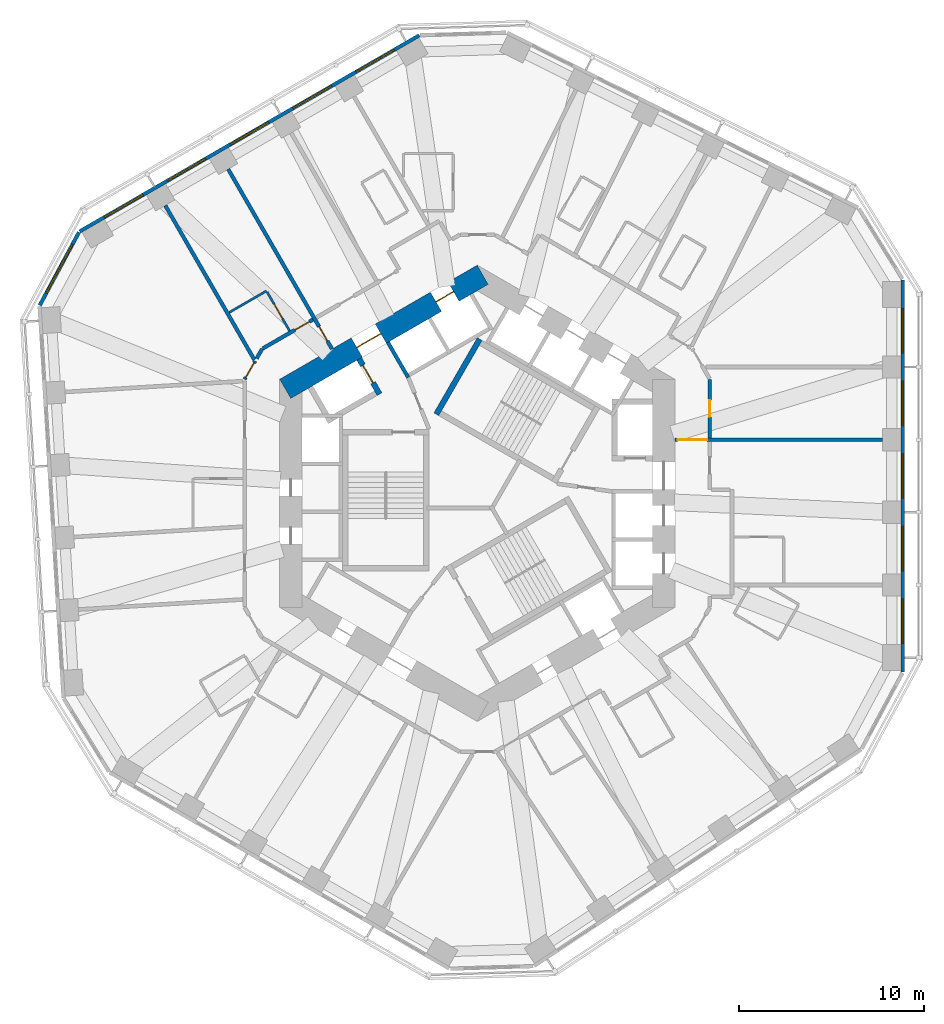
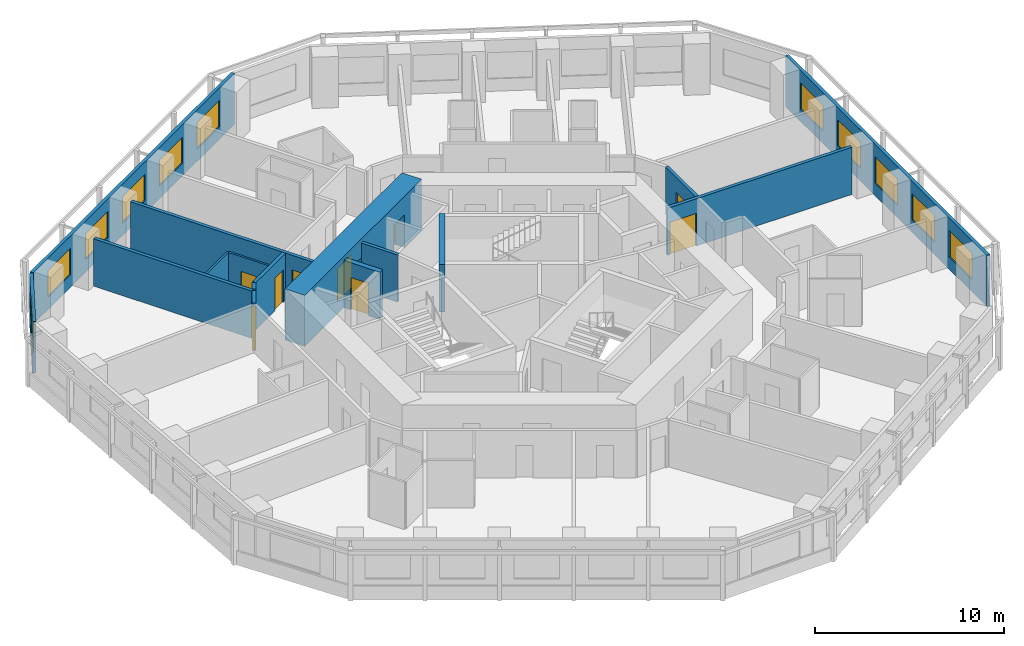
# One storey, part 7 of 12: 16 walls, 11 windows, 9 doors, 20 openings.
"""IFC4 building model written with IfcOpenShell, lengths in metres."""

from ifc_helpers import new_model, si_unit, direction, frame, frame_2d, origin, place, context, subcontext, project, spatial, rectangle, extrude, material, layer, layer_set, type_object, element, fill, save


model = new_model("IFC4")

# Units and contexts
model_context = context("Model", 3, precision=1e-05, world=origin(), true_north=direction((0.0, 1.0)))
body_context = subcontext(model_context, "Body", "Model", "MODEL_VIEW")
ifc_project = project(units=[si_unit("LENGTHUNIT", "METRE"), si_unit("AREAUNIT", "SQUARE_METRE"), si_unit("VOLUMEUNIT", "CUBIC_METRE"), si_unit("PLANEANGLEUNIT", "RADIAN"), si_unit("MASSUNIT", "GRAM", prefix="KILO")], contexts=[model_context])

# Site, building, storey
site_placement = place(None, origin())
site = spatial("IfcSite", under=ifc_project, at=site_placement, CompositionType="ELEMENT")
building_placement = place(site_placement, origin())
building = spatial("IfcBuilding", under=site, at=building_placement, Name="Vanh Sen Convention Tower", CompositionType="ELEMENT")
storey_placement = place(building_placement, frame((0.0, 0.0, 67.10009765625)))
storey = spatial("IfcBuildingStorey", under=building, at=storey_placement, Name="L14", CompositionType="ELEMENT", Elevation=67.10009765625)

# Wall
ifc_material_1 = material(Name="Moisture-resistant gypsum board on steel studs", Category="steel")
ifc_layer_1 = layer(ifc_material_1, 0.1201171875)
ifc_layer_set_1 = layer_set([ifc_layer_1], Name="Moisture-resistant gypsum board on steel studs")
wall_type_1 = type_object("IfcWallType", Name="Bathroom partition 120", PredefinedType="PARTITIONING", material=ifc_layer_set_1)
wall_1_placement = place(storey_placement, frame((-13.436279296875, 9.7939453125, 0.0), z_axis=(0.0, 0.0, 1.0), x_axis=(0.866053246676, 0.499951771596, 0.0)))
element("IfcWall", 1, at=wall_1_placement, inside=storey, type_object=wall_type_1, Name="Bathroom partition 120", PredefinedType="PARTITIONING", context=body_context, shape_type="SweptSolid", body=[
    extrude(rectangle(XDim=2.334716796875, YDim=0.1201171875, at=frame_2d((1.16748046875, 0.0))), origin(), (0.0, 0.0, 1.0), 3.0498046875),
])

# Wall, opening, door
wall_2_placement = place(storey_placement, frame((-11.384521484375, 10.9091796875, 0.0), z_axis=(0.0, 0.0, 1.0), x_axis=(0.500077547548, -0.865980627057, 0.0)))
wall_2 = element("IfcWall", 2, at=wall_2_placement, inside=storey, type_object=wall_type_1, Name="Bathroom partition 120", PredefinedType="PARTITIONING", context=body_context, shape_type="SweptSolid", body=[
    extrude(rectangle(XDim=2.43994140625, YDim=0.1201171875, at=frame_2d((1.219970703125, 0.0))), origin(), (0.0, 0.0, 1.0), 3.0498046875),
])
opening_1_placement = place(wall_2_placement, frame((0.77001953125, 0.0, 0.0)))
opening_1 = element("IfcOpeningElement", 3, at=opening_1_placement, cuts=wall_2, Name="Opening D13117", PredefinedType="OPENING", context=body_context, shape_type="SweptSolid", body=[
    extrude(rectangle(XDim=0.89990234375, YDim=2.10009765625, at=frame_2d((0.449951171875, 1.050048828125))), frame((0.0, 0.070068359375, 0.0), z_axis=(0.0, -1.0, 0.0), x_axis=(1.0, 0.0, 0.0)), (0.0, 0.0, 1.0), 0.14013671875),
])
ifc_material_2 = material(Name="Laminate door in steel frame", Category="steel")
door_type_1 = type_object("IfcDoorType", Name="En-suite door 900", OperationType="SINGLE_SWING_LEFT", PredefinedType="DOOR", material=ifc_material_2)
door_1_placement = place(opening_1_placement, origin())
door_1 = element("IfcDoor", 4, at=door_1_placement, inside=storey, type_object=door_type_1, Name="En-suite door D13117", OperationType="SINGLE_SWING_LEFT", OverallHeight=2.10009765625, OverallWidth=0.89990234375, PredefinedType="DOOR", context=body_context, shape_type="SweptSolid", body=[
    extrude(rectangle(XDim=0.89990234375, YDim=2.10009765625, at=frame_2d((0.449951171875, 1.050048828125))), frame((0.0, 0.02490234375, 0.0), z_axis=(0.0, -1.0, 0.0), x_axis=(1.0, 0.0, 0.0)), (0.0, 0.0, 1.0), 0.050048828125),
])
fill(opening_1, door_1)

# Wall, openings, doors
ifc_material_3 = material(Name="Concrete C80/95", Category="concrete")
ifc_layer_2 = layer(ifc_material_3, 1.199951171875)
ifc_layer_set_2 = layer_set([ifc_layer_2], Name="Concrete C80/95")
wall_type_2 = type_object("IfcWallType", Name="Core outer wall 1200 C80/95", PredefinedType="SHEAR", material=ifc_layer_set_2)
wall_3_placement = place(storey_placement, frame((0.300048828125, 11.835693359375, 0.0), z_axis=(0.0, 0.0, 1.0), x_axis=(-0.866021384402, -0.500006961711, 0.0)))
wall_3 = element("IfcWall", 5, at=wall_3_placement, inside=storey, type_object=wall_type_2, Name="Core wall face NW L14", PredefinedType="SHEAR", context=body_context, shape_type="SweptSolid", body=[
    extrude(rectangle(XDim=12.355224609375, YDim=1.199951171875, at=frame_2d((6.177734375, 0.0))), origin(), (0.0, 0.0, 1.0), 3.2998046875),
])
opening_2_placement = place(wall_3_placement, frame((6.377685546875, 0.0, 0.0)))
opening_2 = element("IfcOpeningElement", 6, at=opening_2_placement, cuts=wall_3, Name="Opening D13002", PredefinedType="OPENING", context=body_context, shape_type="SweptSolid", body=[
    extrude(rectangle(XDim=1.5, YDim=2.10009765625, at=frame_2d((0.75, 1.050048828125))), frame((0.0, 0.60986328125, 0.0), z_axis=(0.0, -1.0, 0.0), x_axis=(1.0, 0.0, 0.0)), (0.0, 0.0, 1.0), 1.219970703125),
])
opening_3_placement = place(wall_3_placement, frame((1.82763671875, 0.0, 0.0)))
opening_3 = element("IfcOpeningElement", 7, at=opening_3_placement, cuts=wall_3, Name="Opening LD-LR6", PredefinedType="OPENING", context=body_context, shape_type="SweptSolid", body=[
    extrude(rectangle(XDim=1.10009765625, YDim=2.10009765625, at=frame_2d((0.550048828125, 1.050048828125))), frame((0.0, 0.60986328125, 0.0), z_axis=(0.0, -1.0, 0.0), x_axis=(1.0, 0.0, 0.0)), (0.0, 0.0, 1.0), 1.219970703125),
])
ifc_material_4 = material(Name="Stainless steel", Category="steel")
door_type_2 = type_object("IfcDoorType", Name="Lift landing door 1100", OperationType="DOUBLE_DOOR_SLIDING", PredefinedType="DOOR", material=ifc_material_4)
door_2_placement = place(opening_3_placement, origin())
door_2 = element("IfcDoor", 8, at=door_2_placement, inside=storey, type_object=door_type_2, Name="Lift LR6 landing door LD-LR6", OperationType="DOUBLE_DOOR_SLIDING", OverallHeight=2.10009765625, OverallWidth=1.10009765625, PredefinedType="DOOR", context=body_context, shape_type="SweptSolid", body=[
    extrude(rectangle(XDim=1.10009765625, YDim=2.10009765625, at=frame_2d((0.550048828125, 1.050048828125))), frame((0.0, 0.02490234375, 0.0), z_axis=(0.0, -1.0, 0.0), x_axis=(1.0, 0.0, 0.0)), (0.0, 0.0, 1.0), 0.050048828125),
])
fill(opening_3, door_2)
ifc_material_5 = material(Name="Steel S355", Category="steel")
door_type_3 = type_object("IfcDoorType", Name="Stair lobby door 1500", OperationType="DOUBLE_DOOR_SINGLE_SWING", PredefinedType="DOOR", material=ifc_material_5)
door_3_placement = place(opening_2_placement, origin())
door_3 = element("IfcDoor", 9, at=door_3_placement, inside=storey, type_object=door_type_3, Name="Stair lobby door D13002", OperationType="DOUBLE_DOOR_SINGLE_SWING", OverallHeight=2.10009765625, OverallWidth=1.5, PredefinedType="DOOR", context=body_context, shape_type="SweptSolid", body=[
    extrude(rectangle(XDim=1.5, YDim=2.10009765625, at=frame_2d((0.75, 1.050048828125))), frame((0.0, 0.02490234375, 0.0), z_axis=(0.0, -1.0, 0.0), x_axis=(1.0, 0.0, 0.0)), (0.0, 0.0, 1.0), 0.050048828125),
])
fill(opening_2, door_3)

# Wall, opening, door
ifc_material_6 = material(Name="Gypsum board on steel studs with mineral wool", Category="steel")
ifc_layer_3 = layer(ifc_material_6, 0.199951171875)
ifc_layer_set_3 = layer_set([ifc_layer_3], Name="Gypsum board on steel studs with mineral wool")
wall_type_3 = type_object("IfcWallType", Name="Corridor partition wall 200", PredefinedType="PARTITIONING", material=ifc_layer_set_3)
wall_4_placement = place(storey_placement, frame((-12.031982421875, 7.16162109375, 0.0), z_axis=(0.0, 0.0, 1.0), x_axis=(-0.499951829968, -0.866053212979, 0.0)))
wall_4 = element("IfcWall", 10, at=wall_4_placement, inside=storey, type_object=wall_type_3, Name="Corridor partition wall 200", PredefinedType="PARTITIONING", context=body_context, shape_type="SweptSolid", body=[
    extrude(rectangle(XDim=1.13623046875, YDim=0.199951171875, at=frame_2d((0.568115234375, 0.0))), origin(), (0.0, 0.0, 1.0), 3.0498046875),
])
opening_4_placement = place(wall_4_placement, frame((0.1181640625, 0.0, 0.0)))
opening_4 = element("IfcOpeningElement", 11, at=opening_4_placement, cuts=wall_4, Name="Opening D13118", PredefinedType="OPENING", context=body_context, shape_type="SweptSolid", body=[
    extrude(rectangle(XDim=0.89990234375, YDim=2.10009765625, at=frame_2d((0.449951171875, 1.050048828125))), frame((0.0, 0.10986328125, 0.0), z_axis=(0.0, -1.0, 0.0), x_axis=(1.0, 0.0, 0.0)), (0.0, 0.0, 1.0), 0.219970703125),
])
ifc_material_7 = material(Name="Timber fire door in steel frame", Category="steel")
door_type_4 = type_object("IfcDoorType", Name="Floor room door 900", OperationType="SINGLE_SWING_LEFT", PredefinedType="DOOR", material=ifc_material_7)
door_4_placement = place(opening_4_placement, origin())
door_4 = element("IfcDoor", 12, at=door_4_placement, inside=storey, type_object=door_type_4, Name="Meeting and amenity room door D13118", OperationType="SINGLE_SWING_LEFT", OverallHeight=2.10009765625, OverallWidth=0.89990234375, PredefinedType="DOOR", context=body_context, shape_type="SweptSolid", body=[
    extrude(rectangle(XDim=0.89990234375, YDim=2.10009765625, at=frame_2d((0.449951171875, 1.050048828125))), frame((0.0, 0.02490234375, 0.0), z_axis=(0.0, -1.0, 0.0), x_axis=(1.0, 0.0, 0.0)), (0.0, 0.0, 1.0), 0.050048828125),
])
fill(opening_4, door_4)

# Wall
wall_5_placement = place(storey_placement, frame((-11.64990234375, 7.822998046875, 0.0), z_axis=(0.0, 0.0, 1.0), x_axis=(-0.50012165622, -0.865955154139, 0.0)))
element("IfcWall", 13, at=wall_5_placement, inside=storey, type_object=wall_type_3, Name="Corridor partition wall 200", PredefinedType="PARTITIONING", context=body_context, shape_type="SweptSolid", body=[
    extrude(rectangle(XDim=0.599853515625, YDim=0.199951171875, at=frame_2d((0.2998046875, 0.0))), origin(), (0.0, 0.0, 1.0), 3.0498046875),
])

# Wall, opening, door
wall_6_placement = place(storey_placement, frame((-8.902099609375, 9.40966796875, 0.0), z_axis=(0.0, 0.0, 1.0), x_axis=(-0.866014299198, -0.500019233215, 0.0)))
wall_6 = element("IfcWall", 14, at=wall_6_placement, inside=storey, type_object=wall_type_3, Name="Corridor partition wall 200", PredefinedType="PARTITIONING", context=body_context, shape_type="SweptSolid", body=[
    extrude(rectangle(XDim=3.13330078125, YDim=0.199951171875, at=frame_2d((1.566650390625, 0.0))), origin(), (0.0, 0.0, 1.0), 3.0498046875),
])
opening_5_placement = place(wall_6_placement, frame((0.22509765625, 0.0, 0.0)))
opening_5 = element("IfcOpeningElement", 15, at=opening_5_placement, cuts=wall_6, Name="Opening D13116", PredefinedType="OPENING", context=body_context, shape_type="SweptSolid", body=[
    extrude(rectangle(XDim=0.89990234375, YDim=2.10009765625, at=frame_2d((0.449951171875, 1.050048828125))), frame((0.0, 0.10986328125, 0.0), z_axis=(0.0, -1.0, 0.0), x_axis=(1.0, 0.0, 0.0)), (0.0, 0.0, 1.0), 0.219970703125),
])
door_type_5 = type_object("IfcDoorType", Name="Guest room door 900", OperationType="SINGLE_SWING_LEFT", PredefinedType="DOOR", material=ifc_material_7)
door_5_placement = place(opening_5_placement, origin())
door_5 = element("IfcDoor", 16, at=door_5_placement, inside=storey, type_object=door_type_5, Name="Hotel guest room door D13116", OperationType="SINGLE_SWING_LEFT", OverallHeight=2.10009765625, OverallWidth=0.89990234375, PredefinedType="DOOR", context=body_context, shape_type="SweptSolid", body=[
    extrude(rectangle(XDim=0.89990234375, YDim=2.10009765625, at=frame_2d((0.449951171875, 1.050048828125))), frame((0.0, 0.02490234375, 0.0), z_axis=(0.0, -1.0, 0.0), x_axis=(1.0, 0.0, 0.0)), (0.0, 0.0, 1.0), 0.050048828125),
])
fill(opening_5, door_5)

wall_7_placement = place(storey_placement, frame((12.60009765625, 3.00439453125, 0.0), z_axis=(0.0, 0.0, 1.0), x_axis=(0.0, 1.0, 0.0)))
wall_7 = element("IfcWall", 17, at=wall_7_placement, inside=storey, type_object=wall_type_3, Name="Corridor partition wall 200", PredefinedType="PARTITIONING", context=body_context, shape_type="SweptSolid", body=[
    extrude(rectangle(XDim=3.173095703125, YDim=0.199951171875, at=frame_2d((1.58642578125, 0.0))), origin(), (0.0, 0.0, 1.0), 3.0498046875),
])
opening_6_placement = place(wall_7_placement, frame((1.136474609375, 0.0, 0.0)))
opening_6 = element("IfcOpeningElement", 18, at=opening_6_placement, cuts=wall_7, Name="Opening D13103", PredefinedType="OPENING", context=body_context, shape_type="SweptSolid", body=[
    extrude(rectangle(XDim=0.89990234375, YDim=2.10009765625, at=frame_2d((0.449951171875, 1.050048828125))), frame((0.0, 0.10986328125, 0.0), z_axis=(0.0, -1.0, 0.0), x_axis=(1.0, 0.0, 0.0)), (0.0, 0.0, 1.0), 0.219970703125),
])
door_type_6 = type_object("IfcDoorType", Name="Floor service door 900", OperationType="SINGLE_SWING_LEFT", PredefinedType="DOOR", material=ifc_material_7)
door_6_placement = place(opening_6_placement, origin())
door_6 = element("IfcDoor", 19, at=door_6_placement, inside=storey, type_object=door_type_6, Name="Service room door D13103", OperationType="SINGLE_SWING_LEFT", OverallHeight=2.10009765625, OverallWidth=0.89990234375, PredefinedType="DOOR", context=body_context, shape_type="SweptSolid", body=[
    extrude(rectangle(XDim=0.89990234375, YDim=2.10009765625, at=frame_2d((0.449951171875, 1.050048828125))), frame((0.0, 0.02490234375, 0.0), z_axis=(0.0, -1.0, 0.0), x_axis=(1.0, 0.0, 0.0)), (0.0, 0.0, 1.0), 0.050048828125),
])
fill(opening_6, door_6)

# Wall, openings, windows
ifc_material_8 = material(Name="Insulated lightweight infill wall")
ifc_layer_4 = layer(ifc_material_8, 0.199951171875)
ifc_layer_set_4 = layer_set([ifc_layer_4], Name="Insulated lightweight infill wall")
wall_type_4 = type_object("IfcWallType", Name="External wall 200", PredefinedType="STANDARD", material=ifc_layer_set_4)
wall_8_placement = place(storey_placement, frame((23.050048828125, -9.6865234375, 0.0), z_axis=(0.0, 0.0, 1.0), x_axis=(0.0, 1.0, 0.0)))
wall_8 = element("IfcWall", 20, at=wall_8_placement, inside=storey, type_object=wall_type_4, Name="External wall E L14", PredefinedType="STANDARD", context=body_context, shape_type="SweptSolid", body=[
    extrude(rectangle(XDim=21.24609375, YDim=0.199951171875, at=frame_2d((10.623046875, 0.0))), origin(), (0.0, 0.0, 1.0), 3.2998046875),
])
opening_7_placement = place(wall_8_placement, frame((1.5546875, 0.0, 0.800048828125)))
opening_7 = element("IfcOpeningElement", 21, at=opening_7_placement, cuts=wall_8, Name="Opening WH1-E1", PredefinedType="OPENING", context=body_context, shape_type="SweptSolid", body=[
    extrude(rectangle(XDim=2.39990234375, YDim=1.699951171875, at=frame_2d((1.199951171875, 0.85009765625))), frame((0.0, 0.10986328125, 0.0), z_axis=(0.0, -1.0, 0.0), x_axis=(1.0, 0.0, 0.0)), (0.0, 0.0, 1.0), 0.219970703125),
])
opening_8_placement = place(wall_8_placement, frame((5.4892578125, 0.0, 0.800048828125)))
opening_8 = element("IfcOpeningElement", 22, at=opening_8_placement, cuts=wall_8, Name="Opening WH1-E2", PredefinedType="OPENING", context=body_context, shape_type="SweptSolid", body=[
    extrude(rectangle(XDim=2.39990234375, YDim=1.699951171875, at=frame_2d((1.199951171875, 0.85009765625))), frame((0.0, 0.10986328125, 0.0), z_axis=(0.0, -1.0, 0.0), x_axis=(1.0, 0.0, 0.0)), (0.0, 0.0, 1.0), 0.219970703125),
])
opening_9_placement = place(wall_8_placement, frame((9.423828125, 0.0, 0.800048828125)))
opening_9 = element("IfcOpeningElement", 23, at=opening_9_placement, cuts=wall_8, Name="Opening WH1-E3", PredefinedType="OPENING", context=body_context, shape_type="SweptSolid", body=[
    extrude(rectangle(XDim=2.39990234375, YDim=1.699951171875, at=frame_2d((1.199951171875, 0.85009765625))), frame((0.0, 0.10986328125, 0.0), z_axis=(0.0, -1.0, 0.0), x_axis=(1.0, 0.0, 0.0)), (0.0, 0.0, 1.0), 0.219970703125),
])
opening_10_placement = place(wall_8_placement, frame((13.3583984375, 0.0, 0.800048828125)))
opening_10 = element("IfcOpeningElement", 24, at=opening_10_placement, cuts=wall_8, Name="Opening WH1-E4", PredefinedType="OPENING", context=body_context, shape_type="SweptSolid", body=[
    extrude(rectangle(XDim=2.39990234375, YDim=1.699951171875, at=frame_2d((1.199951171875, 0.85009765625))), frame((0.0, 0.10986328125, 0.0), z_axis=(0.0, -1.0, 0.0), x_axis=(1.0, 0.0, 0.0)), (0.0, 0.0, 1.0), 0.219970703125),
])
opening_11_placement = place(wall_8_placement, frame((17.29296875, 0.0, 0.800048828125)))
opening_11 = element("IfcOpeningElement", 25, at=opening_11_placement, cuts=wall_8, Name="Opening WH1-E5", PredefinedType="OPENING", context=body_context, shape_type="SweptSolid", body=[
    extrude(rectangle(XDim=2.39990234375, YDim=1.699951171875, at=frame_2d((1.199951171875, 0.85009765625))), frame((0.0, 0.10986328125, 0.0), z_axis=(0.0, -1.0, 0.0), x_axis=(1.0, 0.0, 0.0)), (0.0, 0.0, 1.0), 0.219970703125),
])
ifc_material_9 = material(Name="Aluminium frame with clear low-emissivity glass", Category="aluminium")
window_type_1 = type_object("IfcWindowType", Name="Hotel window 2400 x 1700", PartitioningType="SINGLE_PANEL", PredefinedType="WINDOW", material=ifc_material_9)
window_1_placement = place(opening_7_placement, origin())
window_1 = element("IfcWindow", 26, at=window_1_placement, inside=storey, type_object=window_type_1, Name="Window WH1-E1", OverallHeight=1.699951171875, OverallWidth=2.39990234375, PartitioningType="SINGLE_PANEL", PredefinedType="WINDOW", context=body_context, shape_type="SweptSolid", body=[
    extrude(rectangle(XDim=2.39990234375, YDim=1.699951171875, at=frame_2d((1.199951171875, 0.85009765625))), frame((0.0, 0.030029296875, 0.0), z_axis=(0.0, -1.0, 0.0), x_axis=(1.0, 0.0, 0.0)), (0.0, 0.0, 1.0), 0.06005859375),
])
fill(opening_7, window_1)
window_2_placement = place(opening_8_placement, origin())
window_2 = element("IfcWindow", 27, at=window_2_placement, inside=storey, type_object=window_type_1, Name="Window WH1-E2", OverallHeight=1.699951171875, OverallWidth=2.39990234375, PartitioningType="SINGLE_PANEL", PredefinedType="WINDOW", context=body_context, shape_type="SweptSolid", body=[
    extrude(rectangle(XDim=2.39990234375, YDim=1.699951171875, at=frame_2d((1.199951171875, 0.85009765625))), frame((0.0, 0.030029296875, 0.0), z_axis=(0.0, -1.0, 0.0), x_axis=(1.0, 0.0, 0.0)), (0.0, 0.0, 1.0), 0.06005859375),
])
fill(opening_8, window_2)
window_3_placement = place(opening_9_placement, origin())
window_3 = element("IfcWindow", 28, at=window_3_placement, inside=storey, type_object=window_type_1, Name="Window WH1-E3", OverallHeight=1.699951171875, OverallWidth=2.39990234375, PartitioningType="SINGLE_PANEL", PredefinedType="WINDOW", context=body_context, shape_type="SweptSolid", body=[
    extrude(rectangle(XDim=2.39990234375, YDim=1.699951171875, at=frame_2d((1.199951171875, 0.85009765625))), frame((0.0, 0.030029296875, 0.0), z_axis=(0.0, -1.0, 0.0), x_axis=(1.0, 0.0, 0.0)), (0.0, 0.0, 1.0), 0.06005859375),
])
fill(opening_9, window_3)
window_4_placement = place(opening_10_placement, origin())
window_4 = element("IfcWindow", 29, at=window_4_placement, inside=storey, type_object=window_type_1, Name="Window WH1-E4", OverallHeight=1.699951171875, OverallWidth=2.39990234375, PartitioningType="SINGLE_PANEL", PredefinedType="WINDOW", context=body_context, shape_type="SweptSolid", body=[
    extrude(rectangle(XDim=2.39990234375, YDim=1.699951171875, at=frame_2d((1.199951171875, 0.85009765625))), frame((0.0, 0.030029296875, 0.0), z_axis=(0.0, -1.0, 0.0), x_axis=(1.0, 0.0, 0.0)), (0.0, 0.0, 1.0), 0.06005859375),
])
fill(opening_10, window_4)
window_5_placement = place(opening_11_placement, origin())
window_5 = element("IfcWindow", 30, at=window_5_placement, inside=storey, type_object=window_type_1, Name="Window WH1-E5", OverallHeight=1.699951171875, OverallWidth=2.39990234375, PartitioningType="SINGLE_PANEL", PredefinedType="WINDOW", context=body_context, shape_type="SweptSolid", body=[
    extrude(rectangle(XDim=2.39990234375, YDim=1.699951171875, at=frame_2d((1.199951171875, 0.85009765625))), frame((0.0, 0.030029296875, 0.0), z_axis=(0.0, -1.0, 0.0), x_axis=(1.0, 0.0, 0.0)), (0.0, 0.0, 1.0), 0.06005859375),
])
fill(opening_11, window_5)

wall_9_placement = place(storey_placement, frame((-3.135986328125, 24.80517578125, 0.0), z_axis=(0.0, 0.0, 1.0), x_axis=(-0.866028291626, -0.499994998079, 0.0)))
wall_9 = element("IfcWall", 31, at=wall_9_placement, inside=storey, type_object=wall_type_4, Name="External wall NW L14", PredefinedType="STANDARD", context=body_context, shape_type="SweptSolid", body=[
    extrude(rectangle(XDim=21.246337890625, YDim=0.199951171875, at=frame_2d((10.623046875, 0.0))), origin(), (0.0, 0.0, 1.0), 3.2998046875),
])
opening_12_placement = place(wall_9_placement, frame((1.5546875, 0.0, 0.800048828125)))
opening_12 = element("IfcOpeningElement", 32, at=opening_12_placement, cuts=wall_9, Name="Opening WH1-NW1", PredefinedType="OPENING", context=body_context, shape_type="SweptSolid", body=[
    extrude(rectangle(XDim=2.39990234375, YDim=1.699951171875, at=frame_2d((1.199951171875, 0.85009765625))), frame((0.0, 0.10986328125, 0.0), z_axis=(0.0, -1.0, 0.0), x_axis=(1.0, 0.0, 0.0)), (0.0, 0.0, 1.0), 0.219970703125),
])
opening_13_placement = place(wall_9_placement, frame((5.4892578125, 0.0, 0.800048828125)))
opening_13 = element("IfcOpeningElement", 33, at=opening_13_placement, cuts=wall_9, Name="Opening WH1-NW2", PredefinedType="OPENING", context=body_context, shape_type="SweptSolid", body=[
    extrude(rectangle(XDim=2.39990234375, YDim=1.699951171875, at=frame_2d((1.199951171875, 0.85009765625))), frame((0.0, 0.10986328125, 0.0), z_axis=(0.0, -1.0, 0.0), x_axis=(1.0, 0.0, 0.0)), (0.0, 0.0, 1.0), 0.219970703125),
])
opening_14_placement = place(wall_9_placement, frame((9.423828125, 0.0, 0.800048828125)))
opening_14 = element("IfcOpeningElement", 34, at=opening_14_placement, cuts=wall_9, Name="Opening WH1-NW3", PredefinedType="OPENING", context=body_context, shape_type="SweptSolid", body=[
    extrude(rectangle(XDim=2.39990234375, YDim=1.699951171875, at=frame_2d((1.199951171875, 0.85009765625))), frame((0.0, 0.10986328125, 0.0), z_axis=(0.0, -1.0, 0.0), x_axis=(1.0, 0.0, 0.0)), (0.0, 0.0, 1.0), 0.219970703125),
])
opening_15_placement = place(wall_9_placement, frame((13.3583984375, 0.0, 0.800048828125)))
opening_15 = element("IfcOpeningElement", 35, at=opening_15_placement, cuts=wall_9, Name="Opening WH1-NW4", PredefinedType="OPENING", context=body_context, shape_type="SweptSolid", body=[
    extrude(rectangle(XDim=2.39990234375, YDim=1.699951171875, at=frame_2d((1.199951171875, 0.85009765625))), frame((0.0, 0.10986328125, 0.0), z_axis=(0.0, -1.0, 0.0), x_axis=(1.0, 0.0, 0.0)), (0.0, 0.0, 1.0), 0.219970703125),
])
opening_16_placement = place(wall_9_placement, frame((17.293212890625, 0.0, 0.800048828125)))
opening_16 = element("IfcOpeningElement", 36, at=opening_16_placement, cuts=wall_9, Name="Opening WH1-NW5", PredefinedType="OPENING", context=body_context, shape_type="SweptSolid", body=[
    extrude(rectangle(XDim=2.39990234375, YDim=1.699951171875, at=frame_2d((1.199951171875, 0.85009765625))), frame((0.0, 0.10986328125, 0.0), z_axis=(0.0, -1.0, 0.0), x_axis=(1.0, 0.0, 0.0)), (0.0, 0.0, 1.0), 0.219970703125),
])
window_6_placement = place(opening_12_placement, origin())
window_6 = element("IfcWindow", 37, at=window_6_placement, inside=storey, type_object=window_type_1, Name="Window WH1-NW1", OverallHeight=1.699951171875, OverallWidth=2.39990234375, PartitioningType="SINGLE_PANEL", PredefinedType="WINDOW", context=body_context, shape_type="SweptSolid", body=[
    extrude(rectangle(XDim=2.39990234375, YDim=1.699951171875, at=frame_2d((1.199951171875, 0.85009765625))), frame((0.0, 0.030029296875, 0.0), z_axis=(0.0, -1.0, 0.0), x_axis=(1.0, 0.0, 0.0)), (0.0, 0.0, 1.0), 0.06005859375),
])
fill(opening_12, window_6)
window_7_placement = place(opening_13_placement, origin())
window_7 = element("IfcWindow", 38, at=window_7_placement, inside=storey, type_object=window_type_1, Name="Window WH1-NW2", OverallHeight=1.699951171875, OverallWidth=2.39990234375, PartitioningType="SINGLE_PANEL", PredefinedType="WINDOW", context=body_context, shape_type="SweptSolid", body=[
    extrude(rectangle(XDim=2.39990234375, YDim=1.699951171875, at=frame_2d((1.199951171875, 0.85009765625))), frame((0.0, 0.030029296875, 0.0), z_axis=(0.0, -1.0, 0.0), x_axis=(1.0, 0.0, 0.0)), (0.0, 0.0, 1.0), 0.06005859375),
])
fill(opening_13, window_7)
window_8_placement = place(opening_14_placement, origin())
window_8 = element("IfcWindow", 39, at=window_8_placement, inside=storey, type_object=window_type_1, Name="Window WH1-NW3", OverallHeight=1.699951171875, OverallWidth=2.39990234375, PartitioningType="SINGLE_PANEL", PredefinedType="WINDOW", context=body_context, shape_type="SweptSolid", body=[
    extrude(rectangle(XDim=2.39990234375, YDim=1.699951171875, at=frame_2d((1.199951171875, 0.85009765625))), frame((0.0, 0.030029296875, 0.0), z_axis=(0.0, -1.0, 0.0), x_axis=(1.0, 0.0, 0.0)), (0.0, 0.0, 1.0), 0.06005859375),
])
fill(opening_14, window_8)
window_9_placement = place(opening_15_placement, origin())
window_9 = element("IfcWindow", 40, at=window_9_placement, inside=storey, type_object=window_type_1, Name="Window WH1-NW4", OverallHeight=1.699951171875, OverallWidth=2.39990234375, PartitioningType="SINGLE_PANEL", PredefinedType="WINDOW", context=body_context, shape_type="SweptSolid", body=[
    extrude(rectangle(XDim=2.39990234375, YDim=1.699951171875, at=frame_2d((1.199951171875, 0.85009765625))), frame((0.0, 0.030029296875, 0.0), z_axis=(0.0, -1.0, 0.0), x_axis=(1.0, 0.0, 0.0)), (0.0, 0.0, 1.0), 0.06005859375),
])
fill(opening_15, window_9)
window_10_placement = place(opening_16_placement, origin())
window_10 = element("IfcWindow", 41, at=window_10_placement, inside=storey, type_object=window_type_1, Name="Window WH1-NW5", OverallHeight=1.699951171875, OverallWidth=2.39990234375, PartitioningType="SINGLE_PANEL", PredefinedType="WINDOW", context=body_context, shape_type="SweptSolid", body=[
    extrude(rectangle(XDim=2.39990234375, YDim=1.699951171875, at=frame_2d((1.199951171875, 0.85009765625))), frame((0.0, 0.030029296875, 0.0), z_axis=(0.0, -1.0, 0.0), x_axis=(1.0, 0.0, 0.0)), (0.0, 0.0, 1.0), 0.06005859375),
])
fill(opening_16, window_10)

# Wall, opening, window
wall_10_placement = place(storey_placement, frame((-21.573974609375, 14.142822265625, 0.0), z_axis=(0.0, 0.0, 1.0), x_axis=(-0.473292949472, -0.880905093628, 0.0)))
wall_10 = element("IfcWall", 42, at=wall_10_placement, inside=storey, type_object=wall_type_4, Name="External wall CH3 L14", PredefinedType="STANDARD", context=body_context, shape_type="SweptSolid", body=[
    extrude(rectangle(XDim=4.493896484375, YDim=0.199951171875, at=frame_2d((2.2470703125, 0.0))), origin(), (0.0, 0.0, 1.0), 3.2998046875),
])
opening_17_placement = place(wall_10_placement, frame((0.746826171875, 0.0, 0.800048828125)))
opening_17 = element("IfcOpeningElement", 43, at=opening_17_placement, cuts=wall_10, Name="Opening WH2-CH31", PredefinedType="OPENING", context=body_context, shape_type="SweptSolid", body=[
    extrude(rectangle(XDim=3.0, YDim=1.699951171875, at=frame_2d((1.5, 0.85009765625))), frame((0.0, 0.10986328125, 0.0), z_axis=(0.0, -1.0, 0.0), x_axis=(1.0, 0.0, 0.0)), (0.0, 0.0, 1.0), 0.219970703125),
])
window_type_2 = type_object("IfcWindowType", Name="Hotel window 3000 x 1700", PartitioningType="SINGLE_PANEL", PredefinedType="WINDOW", material=ifc_material_9)
window_11_placement = place(opening_17_placement, origin())
window_11 = element("IfcWindow", 44, at=window_11_placement, inside=storey, type_object=window_type_2, Name="Window WH2-CH31", OverallHeight=1.699951171875, OverallWidth=3.0, PartitioningType="SINGLE_PANEL", PredefinedType="WINDOW", context=body_context, shape_type="SweptSolid", body=[
    extrude(rectangle(XDim=3.0, YDim=1.699951171875, at=frame_2d((1.5, 0.85009765625))), frame((0.0, 0.030029296875, 0.0), z_axis=(0.0, -1.0, 0.0), x_axis=(1.0, 0.0, 0.0)), (0.0, 0.0, 1.0), 0.06005859375),
])
fill(opening_17, window_11)

# Wall, opening, door
ifc_material_10 = material(Name="Concrete C60/75", Category="concrete")
ifc_layer_5 = layer(ifc_material_10, 0.300048828125)
ifc_layer_set_5 = layer_set([ifc_layer_5], Name="Concrete C60/75")
wall_type_5 = type_object("IfcWallType", Name="Fire-fighting lift shaft wall 300", PredefinedType="SHEAR", material=ifc_layer_set_5)
wall_11_placement = place(storey_placement, frame((-5.29541015625, 5.3720703125, 0.0), z_axis=(0.0, 0.0, 1.0), x_axis=(-0.500077893725, 0.86598042715, 0.0)))
wall_11 = element("IfcWall", 45, at=wall_11_placement, inside=storey, type_object=wall_type_5, Name="Fire-fighting lift shaft wall L14", PredefinedType="SHEAR", context=body_context, shape_type="SweptSolid", body=[
    extrude(rectangle(XDim=2.199951171875, YDim=0.300048828125, at=frame_2d((1.10009765625, 0.0))), origin(), (0.0, 0.0, 1.0), 3.0498046875),
])
opening_18_placement = place(wall_11_placement, frame((0.699951171875, 0.0, 0.0)))
opening_18 = element("IfcOpeningElement", 46, at=opening_18_placement, cuts=wall_11, Name="Opening LD-FF2", PredefinedType="OPENING", context=body_context, shape_type="SweptSolid", body=[
    extrude(rectangle(XDim=1.10009765625, YDim=2.10009765625, at=frame_2d((0.550048828125, 1.050048828125))), frame((0.0, 0.159912109375, 0.0), z_axis=(0.0, -1.0, 0.0), x_axis=(1.0, 0.0, 0.0)), (0.0, 0.0, 1.0), 0.320068359375),
])
door_type_7 = type_object("IfcDoorType", Name="Fire-fighting lift landing door 1100", OperationType="DOUBLE_DOOR_SLIDING", PredefinedType="DOOR", material=ifc_material_4)
door_7_placement = place(opening_18_placement, origin())
door_7 = element("IfcDoor", 47, at=door_7_placement, inside=storey, type_object=door_type_7, Name="Lift FF2 landing door LD-FF2", OperationType="DOUBLE_DOOR_SLIDING", OverallHeight=2.10009765625, OverallWidth=1.10009765625, PredefinedType="DOOR", context=body_context, shape_type="SweptSolid", body=[
    extrude(rectangle(XDim=1.10009765625, YDim=2.10009765625, at=frame_2d((0.550048828125, 1.050048828125))), frame((0.0, 0.02490234375, 0.0), z_axis=(0.0, -1.0, 0.0), x_axis=(1.0, 0.0, 0.0)), (0.0, 0.0, 1.0), 0.050048828125),
])
fill(opening_18, door_7)

# Walls
ifc_layer_6 = layer(ifc_material_6, 0.199951171875)
ifc_layer_set_6 = layer_set([ifc_layer_6], Name="Gypsum board on steel studs with mineral wool")
wall_type_6 = type_object("IfcWallType", Name="Hotel party wall 200", PredefinedType="PARTITIONING", material=ifc_layer_set_6)
wall_12_placement = place(storey_placement, frame((-16.89794921875, 15.589599609375, 0.0), z_axis=(0.0, 0.0, 1.0), x_axis=(0.499994742786, -0.866028439017, 0.0)))
element("IfcWall", 48, at=wall_12_placement, inside=storey, type_object=wall_type_6, Name="Hotel party wall 200", PredefinedType="PARTITIONING", context=body_context, shape_type="SweptSolid", body=[
    extrude(rectangle(XDim=9.64990234375, YDim=0.199951171875, at=frame_2d((4.824951171875, 0.0))), origin(), (0.0, 0.0, 1.0), 3.0498046875),
])
ifc_material_11 = material(Name="Concrete C40/50", Category="concrete")
ifc_layer_7 = layer(ifc_material_11, 0.199951171875)
ifc_layer_set_7 = layer_set([ifc_layer_7], Name="Concrete C40/50")
wall_type_7 = type_object("IfcWallType", Name="Lift shaft wall 200", PredefinedType="PARTITIONING", material=ifc_layer_set_7)
wall_13_placement = place(storey_placement, frame((-3.736572265625, 6.27197265625, 0.0), z_axis=(0.0, 0.0, 1.0), x_axis=(-0.50002983664, 0.866008176907, 0.0)))
element("IfcWall", 49, at=wall_13_placement, inside=storey, type_object=wall_type_7, Name="Lift shaft wall L14", PredefinedType="PARTITIONING", context=body_context, shape_type="SweptSolid", body=[
    extrude(rectangle(XDim=2.199951171875, YDim=0.199951171875, at=frame_2d((1.10009765625, 0.0))), origin(), (0.0, 0.0, 1.0), 3.0498046875),
])
ifc_layer_8 = layer(ifc_material_10, 0.300048828125)
ifc_layer_set_8 = layer_set([ifc_layer_8], Name="Concrete C60/75")
wall_type_8 = type_object("IfcWallType", Name="Stair wall 300", PredefinedType="SHEAR", material=ifc_layer_set_8)
wall_14_placement = place(storey_placement, frame((-2.216064453125, 4.28173828125, 0.0), z_axis=(0.0, 0.0, 1.0), x_axis=(0.499977259774, 0.866038532462, 0.0)))
element("IfcWall", 50, at=wall_14_placement, inside=storey, type_object=wall_type_8, Name="Stair wall L14", PredefinedType="SHEAR", context=body_context, shape_type="SweptSolid", body=[
    extrude(rectangle(XDim=4.699951171875, YDim=0.300048828125, at=frame_2d((2.35009765625, 0.0))), origin(), (0.0, 0.0, 1.0), 3.0498046875),
])

# Wall, opening, door
ifc_material_12 = material(Name="Concrete C20/25", Category="concrete")
ifc_layer_9 = layer(ifc_material_12, 0.199951171875)
ifc_layer_set_9 = layer_set([ifc_layer_9], Name="Concrete C20/25")
wall_type_9 = type_object("IfcWallType", Name="Sub-compartment wall 200", PredefinedType="PARTITIONING", material=ifc_layer_set_9)
wall_15_placement = place(storey_placement, frame((-7.865478515625, 7.814208984375, 0.0), z_axis=(0.0, 0.0, 1.0), x_axis=(-0.500004234368, 0.866022959057, 0.0)))
wall_15 = element("IfcWall", 51, at=wall_15_placement, inside=storey, type_object=wall_type_9, Name="Sub-compartment wall 200", PredefinedType="PARTITIONING", context=body_context, shape_type="SweptSolid", body=[
    extrude(rectangle(XDim=11.25, YDim=0.199951171875, at=frame_2d((5.625, 0.0))), origin(), (0.0, 0.0, 1.0), 3.0498046875),
])
opening_19_placement = place(wall_15_placement, frame((0.5, 0.0, 0.0)))
opening_19 = element("IfcOpeningElement", 52, at=opening_19_placement, cuts=wall_15, Name="Opening D13134", PredefinedType="OPENING", context=body_context, shape_type="SweptSolid", body=[
    extrude(rectangle(XDim=0.89990234375, YDim=2.10009765625, at=frame_2d((0.449951171875, 1.050048828125))), frame((0.0, 0.10986328125, 0.0), z_axis=(0.0, -1.0, 0.0), x_axis=(1.0, 0.0, 0.0)), (0.0, 0.0, 1.0), 0.219970703125),
])
ifc_material_13 = material(Name="Steel S355", Category="steel")
door_type_8 = type_object("IfcDoorType", Name="Corridor fire door 900", OperationType="SINGLE_SWING_LEFT", PredefinedType="DOOR", material=ifc_material_13)
door_8_placement = place(opening_19_placement, origin())
door_8 = element("IfcDoor", 53, at=door_8_placement, inside=storey, type_object=door_type_8, Name="Sub-compartment door D13134", OperationType="SINGLE_SWING_LEFT", OverallHeight=2.10009765625, OverallWidth=0.89990234375, PredefinedType="DOOR", context=body_context, shape_type="SweptSolid", body=[
    extrude(rectangle(XDim=0.89990234375, YDim=2.10009765625, at=frame_2d((0.449951171875, 1.050048828125))), frame((0.0, 0.02490234375, 0.0), z_axis=(0.0, -1.0, 0.0), x_axis=(1.0, 0.0, 0.0)), (0.0, 0.0, 1.0), 0.050048828125),
])
fill(opening_19, door_8)

wall_16_placement = place(storey_placement, frame((21.949951171875, 2.904541015625, 0.0), z_axis=(0.0, 0.0, 1.0), x_axis=(-1.0, 0.0, 0.0)))
wall_16 = element("IfcWall", 54, at=wall_16_placement, inside=storey, type_object=wall_type_9, Name="Sub-compartment wall 200", PredefinedType="PARTITIONING", context=body_context, shape_type="SweptSolid", body=[
    extrude(rectangle(XDim=11.25, YDim=0.199951171875, at=frame_2d((5.625, 0.0))), origin(), (0.0, 0.0, 1.0), 3.0498046875),
])
opening_20_placement = place(wall_16_placement, frame((9.5, 0.0, 0.0)))
opening_20 = element("IfcOpeningElement", 55, at=opening_20_placement, cuts=wall_16, Name="Opening D13135", PredefinedType="OPENING", context=body_context, shape_type="SweptSolid", body=[
    extrude(rectangle(XDim=1.60009765625, YDim=2.10009765625, at=frame_2d((0.800048828125, 1.050048828125))), frame((0.0, 0.10986328125, 0.0), z_axis=(0.0, -1.0, 0.0), x_axis=(1.0, 0.0, 0.0)), (0.0, 0.0, 1.0), 0.219970703125),
])
door_type_9 = type_object("IfcDoorType", Name="Corridor fire door 1600", OperationType="DOUBLE_DOOR_SINGLE_SWING", PredefinedType="DOOR", material=ifc_material_13)
door_9_placement = place(opening_20_placement, origin())
door_9 = element("IfcDoor", 56, at=door_9_placement, inside=storey, type_object=door_type_9, Name="Sub-compartment door D13135", OperationType="DOUBLE_DOOR_SINGLE_SWING", OverallHeight=2.10009765625, OverallWidth=1.60009765625, PredefinedType="DOOR", context=body_context, shape_type="SweptSolid", body=[
    extrude(rectangle(XDim=1.60009765625, YDim=2.10009765625, at=frame_2d((0.800048828125, 1.050048828125))), frame((0.0, 0.02490234375, 0.0), z_axis=(0.0, -1.0, 0.0), x_axis=(1.0, 0.0, 0.0)), (0.0, 0.0, 1.0), 0.050048828125),
])
fill(opening_20, door_9)

save(model, "model.ifc")
